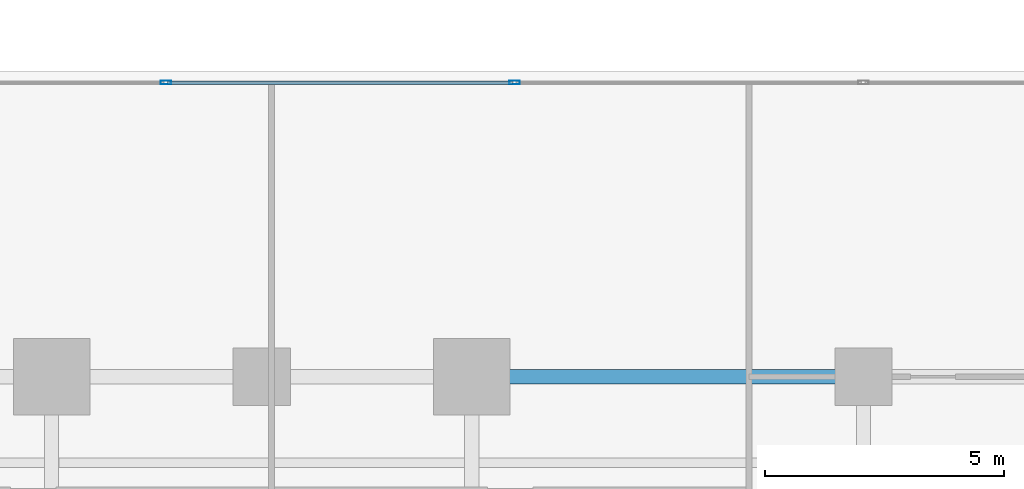
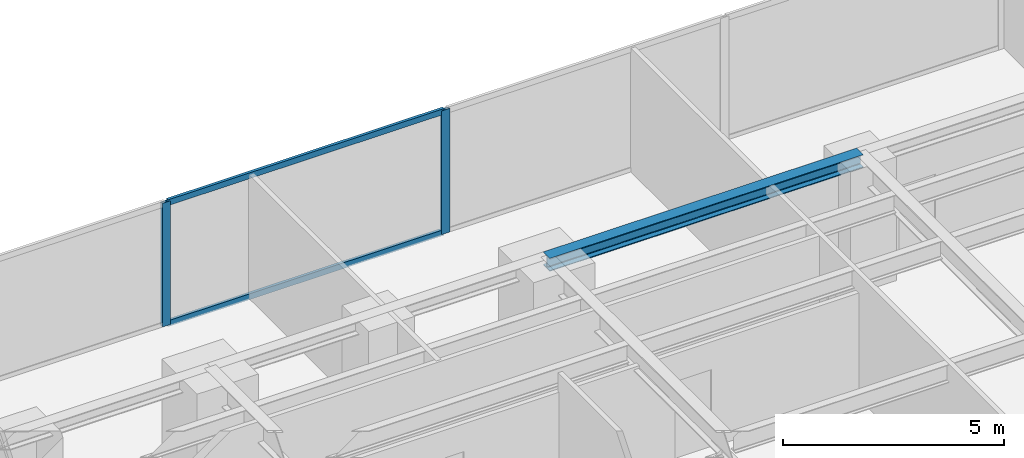
# One storey, part 13 of 28: 4 members, 1 beam, 1 element without a shape of its own.
"""IFC4 building model written with IfcOpenShell, lengths in metres."""

from ifc_helpers import new_model, si_unit, direction, frame, origin, origin_with_axes, origin_2d, place, context, subcontext, project, spatial, hollow_rectangle, i_section, extrude, source, transform, mapped, material, layer, layer_set, material_profile, profile_set, type_object, element, aggregate, save


model = new_model("IFC4")

# Units and contexts
model_context = context("Model", 3, precision=1e-05, world=origin(), true_north=direction((0.0, 1.0)))
body_context = subcontext(model_context, "Body", "Model", "MODEL_VIEW")
ifc_project = project(units=[si_unit("LENGTHUNIT", "METRE"), si_unit("AREAUNIT", "SQUARE_METRE"), si_unit("VOLUMEUNIT", "CUBIC_METRE"), si_unit("PLANEANGLEUNIT", "RADIAN"), si_unit("MASSUNIT", "GRAM", prefix="KILO")], contexts=[model_context])

# Site, building, storey
site_placement = place(None, origin())
site = spatial("IfcSite", under=ifc_project, at=site_placement, CompositionType="ELEMENT")
building_placement = place(site_placement, origin())
building = spatial("IfcBuilding", under=site, at=building_placement, Name="Kolvaren Waterfront Exchange", CompositionType="ELEMENT")
storey_placement = place(building_placement, frame((0.0, 0.0, 79.0)))
storey = spatial("IfcBuildingStorey", under=building, at=storey_placement, Name="L20", CompositionType="ELEMENT", Elevation=79.0)

# Beam
ifc_material_1 = material(Name="Steel S355", Category="steel")
ifc_material_profile_1 = material_profile(ifc_material_1, i_section(OverallWidth=0.300048828125, OverallDepth=0.360107421875, WebThickness=0.012451171875, FlangeThickness=0.0224609375, FilletRadius=0.027099609375, at=origin_2d()), Name="HEB360")
ifc_profile_set_1 = profile_set([ifc_material_profile_1], Name="Steel S355")
beam_type = type_object("IfcBeamType", Name="STR-BM-HEB360", PredefinedType="SPANDREL", material=ifc_profile_set_1)
beam_placement = place(storey_placement, frame((45.60009765625, 17.39990234375, 3.239990234375), z_axis=(1.0, 0.0, 0.0), x_axis=(0.0, 1.0, 0.0)))
element("IfcBeam", 1, at=beam_placement, inside=storey, type_object=beam_type, Name="L20 east-arm spandrel N4", PredefinedType="SPANDREL", context=body_context, shape_type="SweptSolid", body=[
    extrude(i_section(OverallWidth=0.300048828125, OverallDepth=0.360107421875, WebThickness=0.012451171875, FlangeThickness=0.0224609375, FilletRadius=0.027099609375, at=origin_2d()), origin(), (0.0, 0.0, 1.0), 8.199951171875),
])

# Curtain wall, members
ifc_material_2 = material(Name="Anodised bronze aluminium 6063-T6", Category="aluminium")
ifc_layer = layer(ifc_material_2, 0.219970703125, Name="Anodised bronze aluminium 6063-T6")
ifc_layer_set = layer_set([ifc_layer], Name="Anodised bronze aluminium 6063-T6")
curtain_wall_type = type_object("IfcCurtainWallType", Name="ARC-CW-SYS1", PredefinedType="USERDEFINED", material=ifc_layer_set)
curtain_wall_placement = place(storey_placement, origin())
curtain_wall = element("IfcCurtainWall", 2, at=curtain_wall_placement, inside=storey, type_object=curtain_wall_type, Name="L20 stick curtain wall CW1 (CW-L20-EN)", ObjectType="STICK CURTAIN WALL", PredefinedType="USERDEFINED")
ifc_material_3 = material(Name="Anodised aluminium 6063-T6", Category="aluminium")
ifc_material_profile_2 = material_profile(ifc_material_3, hollow_rectangle(XDim=0.074951171875, YDim=0.159912109375, WallThickness=0.00439453125, at=origin_2d()), Name="ALU-TRN-160x75x4.5")
ifc_profile_set_2 = profile_set([ifc_material_profile_2], Name="Anodised aluminium 6063-T6")
member_type_1 = type_object("IfcMemberType", Name="ARC-CWT-160", PredefinedType="USERDEFINED", material=ifc_profile_set_2)
shared_shape_1 = source(origin_with_axes(), body_context, "Body", "SweptSolid", [
    extrude(hollow_rectangle(XDim=0.074951171875, YDim=0.159912109375, WallThickness=0.00439453125, at=origin_2d()), origin(), (0.0, 0.0, 1.0), 7.22265625),
])
member_1_placement = place(storey_placement, frame((39.232421875, 23.56005859375, 0.03759765625), z_axis=(1.0, 0.0, 0.0), x_axis=(0.0, 1.0, 0.0)))
member_1 = element("IfcMember", 3, at=member_1_placement, type_object=member_type_1, Name="CW1 transom 2.1", ObjectType="TRANSOM", PredefinedType="USERDEFINED", context=body_context, shape_type="MappedRepresentation", body=[
    mapped(shared_shape_1, transform((0.0, 0.0, 0.0), x_axis=(1.0, 0.0, 0.0), y_axis=(0.0, 1.0, 0.0), z_axis=(0.0, 0.0, 1.0), scale=1.0)),
])
member_2_placement = place(storey_placement, frame((39.232421875, 23.56005859375, 3.382568359375), z_axis=(1.0, 0.0, 0.0), x_axis=(0.0, 1.0, 0.0)))
member_2 = element("IfcMember", 4, at=member_2_placement, type_object=member_type_1, Name="CW1 transom 2.2", ObjectType="TRANSOM", PredefinedType="USERDEFINED", context=body_context, shape_type="MappedRepresentation", body=[
    mapped(shared_shape_1, transform((0.0, 0.0, 0.0), x_axis=(1.0, 0.0, 0.0), y_axis=(0.0, 1.0, 0.0), z_axis=(0.0, 0.0, 1.0), scale=1.0)),
])
ifc_material_profile_3 = material_profile(ifc_material_3, hollow_rectangle(XDim=0.080078125, YDim=0.219970703125, WallThickness=0.0048828125, at=origin_2d()), Name="ALU-MUL-220x80x5")
ifc_profile_set_3 = profile_set([ifc_material_profile_3], Name="Anodised aluminium 6063-T6")
member_type_2 = type_object("IfcMemberType", Name="ARC-CWM-220", PredefinedType="MULLION", material=ifc_profile_set_3)
shared_shape_2 = source(origin_with_axes(), body_context, "Body", "SweptSolid", [
    extrude(hollow_rectangle(XDim=0.080078125, YDim=0.219970703125, WallThickness=0.0048828125, at=origin_2d()), origin(), (0.0, 0.0, 1.0), 3.419921875),
])
member_3_placement = place(storey_placement, frame((39.1923828125, 23.56005859375, 0.0), z_axis=(0.0, 0.0, 1.0), x_axis=(0.0, 1.0, 0.0)))
member_3 = element("IfcMember", 5, at=member_3_placement, type_object=member_type_2, Name="CW1 mullion 2", PredefinedType="MULLION", context=body_context, shape_type="MappedRepresentation", body=[
    mapped(shared_shape_2, transform((0.0, 0.0, 0.0), x_axis=(1.0, 0.0, 0.0), y_axis=(0.0, 1.0, 0.0), z_axis=(0.0, 0.0, 1.0), scale=1.0)),
])
member_4_placement = place(storey_placement, frame((46.4951171875, 23.56005859375, 0.0), z_axis=(0.0, 0.0, 1.0), x_axis=(0.0, 1.0, 0.0)))
member_4 = element("IfcMember", 6, at=member_4_placement, type_object=member_type_2, Name="CW1 mullion 3", PredefinedType="MULLION", context=body_context, shape_type="MappedRepresentation", body=[
    mapped(shared_shape_2, transform((0.0, 0.0, 0.0), x_axis=(1.0, 0.0, 0.0), y_axis=(0.0, 1.0, 0.0), z_axis=(0.0, 0.0, 1.0), scale=1.0)),
])
aggregate(curtain_wall, [member_3, member_4, member_1, member_2])

save(model, "model.ifc")
